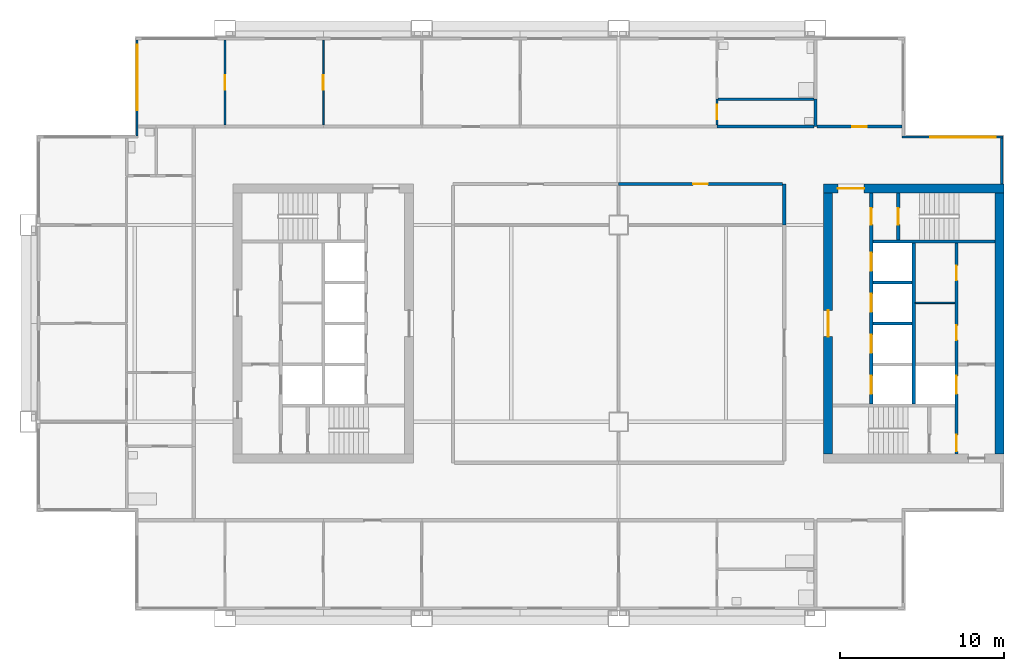
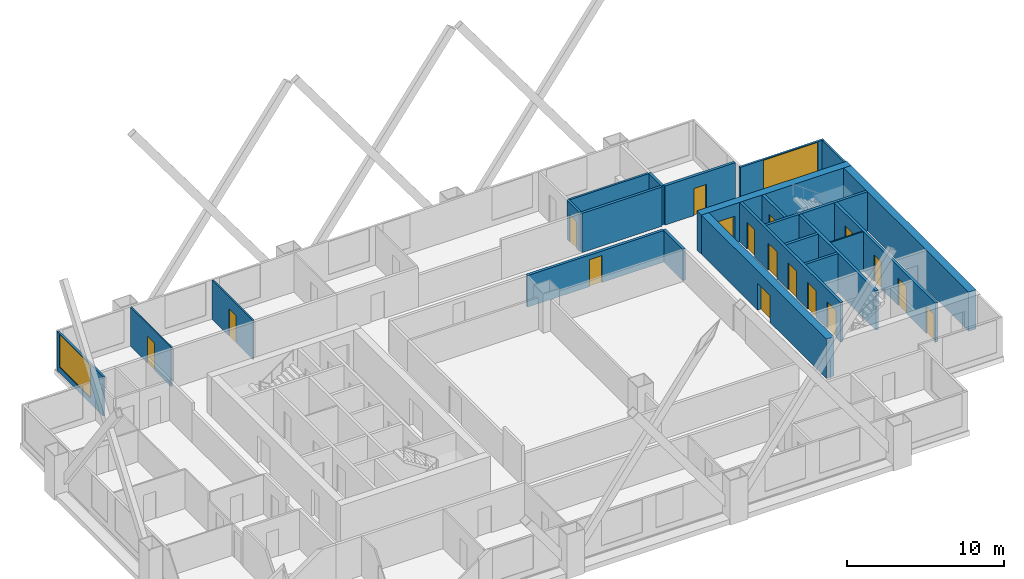
# One storey, part 5 of 8: 23 walls, 17 doors, 2 windows, 19 openings.
"""IFC4 building model written with IfcOpenShell, lengths in metres."""

from ifc_helpers import new_model, si_unit, direction, frame, frame_2d, origin, place, context, subcontext, project, spatial, rectangle, extrude, material, layer, layer_set, type_object, element, fill, save


model = new_model("IFC4")

# Units and contexts
model_context = context("Model", 3, precision=1e-05, world=origin(), true_north=direction((0.0, 1.0)))
body_context = subcontext(model_context, "Body", "Model", "MODEL_VIEW")
ifc_project = project(units=[si_unit("LENGTHUNIT", "METRE"), si_unit("AREAUNIT", "SQUARE_METRE"), si_unit("VOLUMEUNIT", "CUBIC_METRE"), si_unit("PLANEANGLEUNIT", "RADIAN"), si_unit("MASSUNIT", "GRAM", prefix="KILO")], contexts=[model_context])

# Site, building, storey
site_placement = place(None, origin())
site = spatial("IfcSite", under=ifc_project, at=site_placement, CompositionType="ELEMENT")
building_placement = place(site_placement, origin())
building = spatial("IfcBuilding", under=site, at=building_placement, Name="Kitamizu Gate Tower and Museum", CompositionType="ELEMENT")
storey_placement = place(building_placement, frame((0.0, 0.0, 175.5)))
storey = spatial("IfcBuildingStorey", under=building, at=storey_placement, Name="L46", CompositionType="ELEMENT", Elevation=175.5)

# Wall, opening, door
ifc_material_1 = material(Name="Concrete Fc42", Category="concrete")
ifc_layer_1 = layer(ifc_material_1, 0.550048828125)
ifc_layer_set_1 = layer_set([ifc_layer_1], Name="Concrete Fc42")
wall_type_1 = type_object("IfcWallType", Name="Core wall 550", PredefinedType="SHEAR", material=ifc_layer_set_1)
wall_1_placement = place(storey_placement, frame((59.5, 38.22509765625, 0.0), z_axis=(0.0, 0.0, 1.0), x_axis=(-1.0, 0.0, 0.0)))
wall_1 = element("IfcWall", 1, at=wall_1_placement, inside=storey, type_object=wall_type_1, Name="Core wall EN", PredefinedType="SHEAR", context=body_context, shape_type="SweptSolid", body=[
    extrude(rectangle(XDim=11.0, YDim=0.550048828125, at=frame_2d((5.5, 0.0))), origin(), (0.0, 0.0, 1.0), 3.050048828125),
])
opening_1_placement = place(wall_1_placement, frame((8.52490234375, 0.0, 0.0)))
opening_1 = element("IfcOpeningElement", 2, at=opening_1_placement, cuts=wall_1, Name="Opening L46-047", PredefinedType="OPENING", context=body_context, shape_type="SweptSolid", body=[
    extrude(rectangle(XDim=1.60009765625, YDim=2.10009765625, at=frame_2d((0.800048828125, 1.050048828125))), frame((0.0, 0.28515625, 0.0), z_axis=(0.0, -1.0, 0.0), x_axis=(1.0, 0.0, 0.0)), (0.0, 0.0, 1.0), 0.570068359375),
])
ifc_material_2 = material(Name="Timber door set", Category="wood")
door_type_1 = type_object("IfcDoorType", Name="Entrance door 1600", OperationType="DOUBLE_DOOR_SINGLE_SWING", PredefinedType="DOOR", material=ifc_material_2)
door_1_placement = place(opening_1_placement, origin())
door_1 = element("IfcDoor", 3, at=door_1_placement, inside=storey, type_object=door_type_1, Name="Lobby door L46-047", OperationType="DOUBLE_DOOR_SINGLE_SWING", OverallHeight=2.10009765625, OverallWidth=1.60009765625, PredefinedType="DOOR", context=body_context, shape_type="SweptSolid", body=[
    extrude(rectangle(XDim=1.60009765625, YDim=2.10009765625, at=frame_2d((0.800048828125, 1.050048828125))), frame((0.0, 0.02490234375, 0.0), z_axis=(0.0, -1.0, 0.0), x_axis=(1.0, 0.0, 0.0)), (0.0, 0.0, 1.0), 0.050048828125),
])
fill(opening_1, door_1)

# Wall
wall_2_placement = place(storey_placement, frame((59.22509765625, 22.050048828125, 0.0), z_axis=(0.0, 0.0, 1.0), x_axis=(0.0, 1.0, 0.0)))
element("IfcWall", 4, at=wall_2_placement, inside=storey, type_object=wall_type_1, Name="Core wall EOUT", PredefinedType="SHEAR", context=body_context, shape_type="SweptSolid", body=[
    extrude(rectangle(XDim=15.89990234375, YDim=0.550048828125, at=frame_2d((7.949951171875, 0.0))), origin(), (0.0, 0.0, 1.0), 3.050048828125),
])

# Wall, opening, door
wall_3_placement = place(storey_placement, frame((48.77490234375, 22.050048828125, 0.0), z_axis=(0.0, 0.0, 1.0), x_axis=(0.0, 1.0, 0.0)))
wall_3 = element("IfcWall", 5, at=wall_3_placement, inside=storey, type_object=wall_type_1, Name="Core wall EARC", PredefinedType="SHEAR", context=body_context, shape_type="SweptSolid", body=[
    extrude(rectangle(XDim=15.89990234375, YDim=0.550048828125, at=frame_2d((7.949951171875, 0.0))), origin(), (0.0, 0.0, 1.0), 3.050048828125),
])
opening_2_placement = place(wall_3_placement, frame((7.14990234375, 0.0, 0.0)))
opening_2 = element("IfcOpeningElement", 6, at=opening_2_placement, cuts=wall_3, Name="Opening L46-048", PredefinedType="OPENING", context=body_context, shape_type="SweptSolid", body=[
    extrude(rectangle(XDim=1.60009765625, YDim=2.10009765625, at=frame_2d((0.800048828125, 1.050048828125))), frame((0.0, 0.28515625, 0.0), z_axis=(0.0, -1.0, 0.0), x_axis=(1.0, 0.0, 0.0)), (0.0, 0.0, 1.0), 0.570068359375),
])
door_2_placement = place(opening_2_placement, origin())
door_2 = element("IfcDoor", 7, at=door_2_placement, inside=storey, type_object=door_type_1, Name="Lobby door L46-048", OperationType="DOUBLE_DOOR_SINGLE_SWING", OverallHeight=2.10009765625, OverallWidth=1.60009765625, PredefinedType="DOOR", context=body_context, shape_type="SweptSolid", body=[
    extrude(rectangle(XDim=1.60009765625, YDim=2.10009765625, at=frame_2d((0.800048828125, 1.050048828125))), frame((0.0, 0.02490234375, 0.0), z_axis=(0.0, -1.0, 0.0), x_axis=(1.0, 0.0, 0.0)), (0.0, 0.0, 1.0), 0.050048828125),
])
fill(opening_2, door_2)

# Wall
ifc_material_3 = material(Name="Gypsum board on galvanised stud")
ifc_layer_2 = layer(ifc_material_3, 0.10009765625)
ifc_layer_set_2 = layer_set([ifc_layer_2], Name="Gypsum board on galvanised stud")
wall_type_2 = type_object("IfcWallType", Name="Partition 100", PredefinedType="PARTITIONING", material=ifc_layer_set_2)
wall_4_placement = place(storey_placement, frame((56.5, 31.25, 0.0), z_axis=(0.0, 0.0, 1.0), x_axis=(-1.0, 0.0, 0.0)))
element("IfcWall", 8, at=wall_4_placement, inside=storey, type_object=wall_type_2, Name="Partition EPF1", PredefinedType="PARTITIONING", context=body_context, shape_type="SweptSolid", body=[
    extrude(rectangle(XDim=2.39990234375, YDim=0.10009765625, at=frame_2d((1.199951171875, 0.0))), origin(), (0.0, 0.0, 1.0), 3.050048828125),
])

# Wall, opening, door
ifc_material_4 = material(Name="Gypsum board on galvanised stud")
ifc_layer_3 = layer(ifc_material_4, 0.10009765625)
ifc_layer_set_3 = layer_set([ifc_layer_3], Name="Gypsum board on galvanised stud")
wall_type_3 = type_object("IfcWallType", Name="Partition 100 NOT RATED", PredefinedType="PARTITIONING", material=ifc_layer_set_3)
wall_5_placement = place(storey_placement, frame((12.0, 42.10009765625, 0.0), z_axis=(0.0, 0.0, 1.0), x_axis=(0.0, 1.0, 0.0)))
wall_5 = element("IfcWall", 9, at=wall_5_placement, inside=storey, type_object=wall_type_3, Name="Partition L46-018", PredefinedType="PARTITIONING", context=body_context, shape_type="SweptSolid", body=[
    extrude(rectangle(XDim=5.179931640625, YDim=0.10009765625, at=frame_2d((2.58984375, 0.0))), origin(), (0.0, 0.0, 1.0), 3.050048828125),
])
opening_3_placement = place(wall_5_placement, frame((2.139892578125, 0.0, 0.0)))
opening_3 = element("IfcOpeningElement", 10, at=opening_3_placement, cuts=wall_5, Name="Opening L46-014", PredefinedType="OPENING", context=body_context, shape_type="SweptSolid", body=[
    extrude(rectangle(XDim=0.89990234375, YDim=2.10009765625, at=frame_2d((0.449951171875, 1.050048828125))), frame((0.0, 0.06005859375, 0.0), z_axis=(0.0, -1.0, 0.0), x_axis=(1.0, 0.0, 0.0)), (0.0, 0.0, 1.0), 0.1201171875),
])
ifc_material_5 = material(Name="Timber door set", Category="wood")
door_type_2 = type_object("IfcDoorType", Name="Room door 900", OperationType="NOTDEFINED", PredefinedType="DOOR", material=ifc_material_5)
door_3_placement = place(opening_3_placement, origin())
door_3 = element("IfcDoor", 11, at=door_3_placement, inside=storey, type_object=door_type_2, Name="Door L46-014", OperationType="SINGLE_SWING_LEFT", OverallHeight=2.10009765625, OverallWidth=0.89990234375, PredefinedType="DOOR", context=body_context, shape_type="SweptSolid", body=[
    extrude(rectangle(XDim=0.89990234375, YDim=2.10009765625, at=frame_2d((0.449951171875, 1.050048828125))), frame((0.0, 0.02490234375, 0.0), z_axis=(0.0, -1.0, 0.0), x_axis=(1.0, 0.0, 0.0)), (0.0, 0.0, 1.0), 0.050048828125),
])
fill(opening_3, door_3)

wall_6_placement = place(storey_placement, frame((18.0, 42.10009765625, 0.0), z_axis=(0.0, 0.0, 1.0), x_axis=(0.0, 1.0, 0.0)))
wall_6 = element("IfcWall", 12, at=wall_6_placement, inside=storey, type_object=wall_type_3, Name="Partition L46-022", PredefinedType="PARTITIONING", context=body_context, shape_type="SweptSolid", body=[
    extrude(rectangle(XDim=5.179931640625, YDim=0.10009765625, at=frame_2d((2.58984375, 0.0))), origin(), (0.0, 0.0, 1.0), 3.050048828125),
])
opening_4_placement = place(wall_6_placement, frame((2.139892578125, 0.0, 0.0)))
opening_4 = element("IfcOpeningElement", 13, at=opening_4_placement, cuts=wall_6, Name="Opening L46-013", PredefinedType="OPENING", context=body_context, shape_type="SweptSolid", body=[
    extrude(rectangle(XDim=0.89990234375, YDim=2.10009765625, at=frame_2d((0.449951171875, 1.050048828125))), frame((0.0, 0.06005859375, 0.0), z_axis=(0.0, -1.0, 0.0), x_axis=(1.0, 0.0, 0.0)), (0.0, 0.0, 1.0), 0.1201171875),
])
door_4_placement = place(opening_4_placement, origin())
door_4 = element("IfcDoor", 14, at=door_4_placement, inside=storey, type_object=door_type_2, Name="Door L46-013", OperationType="SINGLE_SWING_RIGHT", OverallHeight=2.10009765625, OverallWidth=0.89990234375, PredefinedType="DOOR", context=body_context, shape_type="SweptSolid", body=[
    extrude(rectangle(XDim=0.89990234375, YDim=2.10009765625, at=frame_2d((0.449951171875, 1.050048828125))), frame((0.0, 0.02490234375, 0.0), z_axis=(0.0, -1.0, 0.0), x_axis=(1.0, 0.0, 0.0)), (0.0, 0.0, 1.0), 0.050048828125),
])
fill(opening_4, door_4)

ifc_material_6 = material(Name="Gypsum board on galvanised stud")
ifc_layer_4 = layer(ifc_material_6, 0.14990234375)
ifc_layer_set_4 = layer_set([ifc_layer_4], Name="Gypsum board on galvanised stud")
wall_type_4 = type_object("IfcWallType", Name="Partition 150", PredefinedType="PARTITIONING", material=ifc_layer_set_4)
wall_7_placement = place(storey_placement, frame((42.0, 42.10009765625, 0.0), z_axis=(0.0, 0.0, 1.0), x_axis=(0.0, 1.0, 0.0)))
wall_7 = element("IfcWall", 15, at=wall_7_placement, inside=storey, type_object=wall_type_4, Name="Partition L46-029", PredefinedType="PARTITIONING", context=body_context, shape_type="SweptSolid", body=[
    extrude(rectangle(XDim=1.579833984375, YDim=0.14990234375, at=frame_2d((0.7900390625, 0.0))), origin(), (0.0, 0.0, 1.0), 3.050048828125),
])
opening_5_placement = place(wall_7_placement, frame((0.340087890625, 0.0, 0.0)))
opening_5 = element("IfcOpeningElement", 16, at=opening_5_placement, cuts=wall_7, Name="Opening L46-012", PredefinedType="OPENING", context=body_context, shape_type="SweptSolid", body=[
    extrude(rectangle(XDim=0.89990234375, YDim=2.10009765625, at=frame_2d((0.449951171875, 1.050048828125))), frame((0.0, 0.0849609375, 0.0), z_axis=(0.0, -1.0, 0.0), x_axis=(1.0, 0.0, 0.0)), (0.0, 0.0, 1.0), 0.169921875),
])
ifc_material_7 = material(Name="Timber door set", Category="wood")
door_type_3 = type_object("IfcDoorType", Name="Bathroom door 900", OperationType="NOTDEFINED", PredefinedType="DOOR", material=ifc_material_7)
door_5_placement = place(opening_5_placement, frame((0.89990234375, 0.0, 0.0), x_axis=(-1.0, 0.0, 0.0)))
door_5 = element("IfcDoor", 17, at=door_5_placement, inside=storey, type_object=door_type_3, Name="Bathroom door L46-012", OperationType="SINGLE_SWING_RIGHT", OverallHeight=2.10009765625, OverallWidth=0.89990234375, PredefinedType="DOOR", context=body_context, shape_type="SweptSolid", body=[
    extrude(rectangle(XDim=0.89990234375, YDim=2.10009765625, at=frame_2d((0.449951171875, 1.050048828125))), frame((0.0, 0.02490234375, 0.0), z_axis=(0.0, -1.0, 0.0), x_axis=(1.0, 0.0, 0.0)), (0.0, 0.0, 1.0), 0.050048828125),
])
fill(opening_5, door_5)

# Walls
wall_8_placement = place(storey_placement, frame((42.074951171875, 43.679931640625, 0.0), z_axis=(0.0, 0.0, 1.0), x_axis=(1.0, 0.0, 0.0)))
element("IfcWall", 18, at=wall_8_placement, inside=storey, type_object=wall_type_4, Name="Partition L46-032", PredefinedType="PARTITIONING", context=body_context, shape_type="SweptSolid", body=[
    extrude(rectangle(XDim=5.824951171875, YDim=0.14990234375, at=frame_2d((2.91259765625, 0.0))), origin(), (0.0, 0.0, 1.0), 3.050048828125),
])
ifc_material_8 = material(Name="Gypsum board on galvanised stud")
ifc_layer_5 = layer(ifc_material_8, 0.199951171875)
ifc_layer_set_5 = layer_set([ifc_layer_5], Name="Gypsum board on galvanised stud")
wall_type_5 = type_object("IfcWallType", Name="Partition 200", PredefinedType="PARTITIONING", material=ifc_layer_set_5)
wall_9_placement = place(storey_placement, frame((48.0, 42.0, 0.0), z_axis=(0.0, 0.0, 1.0), x_axis=(0.0, 1.0, 0.0)))
element("IfcWall", 19, at=wall_9_placement, inside=storey, type_object=wall_type_5, Name="Partition L46-034", PredefinedType="PARTITIONING", context=body_context, shape_type="SweptSolid", body=[
    extrude(rectangle(XDim=1.679931640625, YDim=0.199951171875, at=frame_2d((0.83984375, 0.0))), origin(), (0.0, 0.0, 1.0), 3.050048828125),
])
wall_10_placement = place(storey_placement, frame((42.0, 42.0, 0.0), z_axis=(0.0, 0.0, 1.0), x_axis=(1.0, 0.0, 0.0)))
element("IfcWall", 20, at=wall_10_placement, inside=storey, type_object=wall_type_5, Name="Partition L46-035", PredefinedType="PARTITIONING", context=body_context, shape_type="SweptSolid", body=[
    extrude(rectangle(XDim=5.89990234375, YDim=0.199951171875, at=frame_2d((2.949951171875, 0.0))), origin(), (0.0, 0.0, 1.0), 3.050048828125),
])

# Wall, opening, door
wall_11_placement = place(storey_placement, frame((48.10009765625, 42.0, 0.0), z_axis=(0.0, 0.0, 1.0), x_axis=(1.0, 0.0, 0.0)))
wall_11 = element("IfcWall", 21, at=wall_11_placement, inside=storey, type_object=wall_type_5, Name="Partition L46-036", PredefinedType="PARTITIONING", context=body_context, shape_type="SweptSolid", body=[
    extrude(rectangle(XDim=5.179931640625, YDim=0.199951171875, at=frame_2d((2.58984375, 0.0))), origin(), (0.0, 0.0, 1.0), 3.050048828125),
])
opening_6_placement = place(wall_11_placement, frame((2.139892578125, 0.0, 0.0)))
opening_6 = element("IfcOpeningElement", 22, at=opening_6_placement, cuts=wall_11, Name="Opening L46-025", PredefinedType="OPENING", context=body_context, shape_type="SweptSolid", body=[
    extrude(rectangle(XDim=0.89990234375, YDim=2.10009765625, at=frame_2d((0.449951171875, 1.050048828125))), frame((0.0, 0.10986328125, 0.0), z_axis=(0.0, -1.0, 0.0), x_axis=(1.0, 0.0, 0.0)), (0.0, 0.0, 1.0), 0.219970703125),
])
door_6_placement = place(opening_6_placement, origin())
door_6 = element("IfcDoor", 23, at=door_6_placement, inside=storey, type_object=door_type_2, Name="Door L46-025", OperationType="SINGLE_SWING_LEFT", OverallHeight=2.10009765625, OverallWidth=0.89990234375, PredefinedType="DOOR", context=body_context, shape_type="SweptSolid", body=[
    extrude(rectangle(XDim=0.89990234375, YDim=2.10009765625, at=frame_2d((0.449951171875, 1.050048828125))), frame((0.0, 0.02490234375, 0.0), z_axis=(0.0, -1.0, 0.0), x_axis=(1.0, 0.0, 0.0)), (0.0, 0.0, 1.0), 0.050048828125),
])
fill(opening_6, door_6)

# Wall
wall_12_placement = place(storey_placement, frame((46.10009765625, 36.0, 0.0), z_axis=(0.0, 0.0, 1.0), x_axis=(0.0, 1.0, 0.0)))
element("IfcWall", 24, at=wall_12_placement, inside=storey, type_object=wall_type_5, Name="Partition L46-065", PredefinedType="PARTITIONING", context=body_context, shape_type="SweptSolid", body=[
    extrude(rectangle(XDim=2.5, YDim=0.199951171875, at=frame_2d((1.25, 0.0))), origin(), (0.0, 0.0, 1.0), 2.449951171875),
])

# Wall, opening, door
wall_13_placement = place(storey_placement, frame((46.0, 38.5, 0.0), z_axis=(0.0, 0.0, 1.0), x_axis=(-1.0, 0.0, 0.0)))
wall_13 = element("IfcWall", 25, at=wall_13_placement, inside=storey, type_object=wall_type_5, Name="Partition L46-066", PredefinedType="PARTITIONING", context=body_context, shape_type="SweptSolid", body=[
    extrude(rectangle(XDim=10.0, YDim=0.199951171875, at=frame_2d((5.0, 0.0))), origin(), (0.0, 0.0, 1.0), 2.449951171875),
])
opening_7_placement = place(wall_13_placement, frame((4.550048828125, 0.0, 0.0)))
opening_7 = element("IfcOpeningElement", 26, at=opening_7_placement, cuts=wall_13, Name="Opening L46-029", PredefinedType="OPENING", context=body_context, shape_type="SweptSolid", body=[
    extrude(rectangle(XDim=0.89990234375, YDim=2.10009765625, at=frame_2d((0.449951171875, 1.050048828125))), frame((0.0, 0.10986328125, 0.0), z_axis=(0.0, -1.0, 0.0), x_axis=(1.0, 0.0, 0.0)), (0.0, 0.0, 1.0), 0.219970703125),
])
door_7_placement = place(opening_7_placement, origin())
door_7 = element("IfcDoor", 27, at=door_7_placement, inside=storey, type_object=door_type_2, Name="Door L46-029", OperationType="SINGLE_SWING_LEFT", OverallHeight=2.10009765625, OverallWidth=0.89990234375, PredefinedType="DOOR", context=body_context, shape_type="SweptSolid", body=[
    extrude(rectangle(XDim=0.89990234375, YDim=2.10009765625, at=frame_2d((0.449951171875, 1.050048828125))), frame((0.0, 0.02490234375, 0.0), z_axis=(0.0, -1.0, 0.0), x_axis=(1.0, 0.0, 0.0)), (0.0, 0.0, 1.0), 0.050048828125),
])
fill(opening_7, door_7)

# Wall, openings, doors
ifc_material_9 = material(Name="Concrete Fc42", Category="concrete")
ifc_layer_6 = layer(ifc_material_9, 0.199951171875)
ifc_layer_set_6 = layer_set([ifc_layer_6], Name="Concrete Fc42")
wall_type_6 = type_object("IfcWallType", Name="Shaft wall 200", PredefinedType="SOLIDWALL", material=ifc_layer_set_6)
wall_14_placement = place(storey_placement, frame((56.60009765625, 22.050048828125, 0.0), z_axis=(0.0, 0.0, 1.0), x_axis=(0.0, 1.0, 0.0)))
wall_14 = element("IfcWall", 28, at=wall_14_placement, inside=storey, type_object=wall_type_6, Name="Shaft wall EWEST", PredefinedType="SOLIDWALL", context=body_context, shape_type="SweptSolid", body=[
    extrude(rectangle(XDim=12.849853515625, YDim=0.199951171875, at=frame_2d((6.4248046875, 0.0))), origin(), (0.0, 0.0, 1.0), 3.050048828125),
])
opening_8_placement = place(wall_14_placement, frame((3.64990234375, 0.0, 0.0)))
opening_8 = element("IfcOpeningElement", 29, at=opening_8_placement, cuts=wall_14, Name="Opening LD", PredefinedType="OPENING", context=body_context, shape_type="SweptSolid", body=[
    extrude(rectangle(XDim=1.10009765625, YDim=2.10009765625, at=frame_2d((0.550048828125, 1.050048828125))), frame((0.0, 0.10986328125, 0.0), z_axis=(0.0, -1.0, 0.0), x_axis=(1.0, 0.0, 0.0)), (0.0, 0.0, 1.0), 0.219970703125),
])
opening_9_placement = place(wall_14_placement, frame((0.14990234375, 0.0, 0.0)))
opening_9 = element("IfcOpeningElement", 30, at=opening_9_placement, cuts=wall_14, Name="Opening L46-042", PredefinedType="OPENING", context=body_context, shape_type="SweptSolid", body=[
    extrude(rectangle(XDim=1.0, YDim=2.10009765625, at=frame_2d((0.5, 1.050048828125))), frame((0.0, 0.10986328125, 0.0), z_axis=(0.0, -1.0, 0.0), x_axis=(1.0, 0.0, 0.0)), (0.0, 0.0, 1.0), 0.219970703125),
])
opening_10_placement = place(wall_14_placement, frame((6.925048828125, 0.0, 0.0)))
opening_10 = element("IfcOpeningElement", 31, at=opening_10_placement, cuts=wall_14, Name="Opening L46-049", PredefinedType="OPENING", context=body_context, shape_type="SweptSolid", body=[
    extrude(rectangle(XDim=0.89990234375, YDim=2.10009765625, at=frame_2d((0.449951171875, 1.050048828125))), frame((0.0, 0.10986328125, 0.0), z_axis=(0.0, -1.0, 0.0), x_axis=(1.0, 0.0, 0.0)), (0.0, 0.0, 1.0), 0.219970703125),
])
opening_11_placement = place(wall_14_placement, frame((10.574951171875, 0.0, 0.0)))
opening_11 = element("IfcOpeningElement", 32, at=opening_11_placement, cuts=wall_14, Name="Opening L46-050", PredefinedType="OPENING", context=body_context, shape_type="SweptSolid", body=[
    extrude(rectangle(XDim=0.89990234375, YDim=2.10009765625, at=frame_2d((0.449951171875, 1.050048828125))), frame((0.0, 0.10986328125, 0.0), z_axis=(0.0, -1.0, 0.0), x_axis=(1.0, 0.0, 0.0)), (0.0, 0.0, 1.0), 0.219970703125),
])
ifc_material_10 = material(Name="Hollow metal door set")
door_type_4 = type_object("IfcDoorType", Name="Fire door 1000", OperationType="NOTDEFINED", PredefinedType="DOOR", material=ifc_material_10)
door_8_placement = place(opening_9_placement, origin())
door_8 = element("IfcDoor", 33, at=door_8_placement, inside=storey, type_object=door_type_4, Name="Stair lobby door L46-042", OperationType="SINGLE_SWING_RIGHT", OverallHeight=2.10009765625, OverallWidth=1.0, PredefinedType="DOOR", context=body_context, shape_type="SweptSolid", body=[
    extrude(rectangle(XDim=1.0, YDim=2.10009765625, at=frame_2d((0.5, 1.050048828125))), frame((0.0, 0.02490234375, 0.0), z_axis=(0.0, -1.0, 0.0), x_axis=(1.0, 0.0, 0.0)), (0.0, 0.0, 1.0), 0.050048828125),
])
fill(opening_9, door_8)
ifc_material_11 = material(Name="Hollow metal door set")
door_type_5 = type_object("IfcDoorType", Name="Landing door 1100", OperationType="SLIDING_TO_LEFT", PredefinedType="DOOR", material=ifc_material_11)
door_9_placement = place(opening_8_placement, origin())
door_9 = element("IfcDoor", 34, at=door_9_placement, inside=storey, type_object=door_type_5, Name="Landing door EFF1", OperationType="SLIDING_TO_LEFT", OverallHeight=2.10009765625, OverallWidth=1.10009765625, PredefinedType="DOOR", context=body_context, shape_type="SweptSolid", body=[
    extrude(rectangle(XDim=1.10009765625, YDim=2.10009765625, at=frame_2d((0.550048828125, 1.050048828125))), frame((0.0, 0.02490234375, 0.0), z_axis=(0.0, -1.0, 0.0), x_axis=(1.0, 0.0, 0.0)), (0.0, 0.0, 1.0), 0.050048828125),
])
fill(opening_8, door_9)
ifc_material_12 = material(Name="Timber door set", Category="wood")
door_type_6 = type_object("IfcDoorType", Name="Service door 900", OperationType="NOTDEFINED", PredefinedType="DOOR", material=ifc_material_12)
door_10_placement = place(opening_10_placement, origin())
door_10 = element("IfcDoor", 35, at=door_10_placement, inside=storey, type_object=door_type_6, Name="Service door L46-049", OperationType="SINGLE_SWING_RIGHT", OverallHeight=2.10009765625, OverallWidth=0.89990234375, PredefinedType="DOOR", context=body_context, shape_type="SweptSolid", body=[
    extrude(rectangle(XDim=0.89990234375, YDim=2.10009765625, at=frame_2d((0.449951171875, 1.050048828125))), frame((0.0, 0.02490234375, 0.0), z_axis=(0.0, -1.0, 0.0), x_axis=(1.0, 0.0, 0.0)), (0.0, 0.0, 1.0), 0.050048828125),
])
fill(opening_10, door_10)
door_11_placement = place(opening_11_placement, origin())
door_11 = element("IfcDoor", 36, at=door_11_placement, inside=storey, type_object=door_type_6, Name="Service door L46-050", OperationType="SINGLE_SWING_LEFT", OverallHeight=2.10009765625, OverallWidth=0.89990234375, PredefinedType="DOOR", context=body_context, shape_type="SweptSolid", body=[
    extrude(rectangle(XDim=0.89990234375, YDim=2.10009765625, at=frame_2d((0.449951171875, 1.050048828125))), frame((0.0, 0.02490234375, 0.0), z_axis=(0.0, -1.0, 0.0), x_axis=(1.0, 0.0, 0.0)), (0.0, 0.0, 1.0), 0.050048828125),
])
fill(opening_11, door_11)

wall_15_placement = place(storey_placement, frame((51.39990234375, 25.10009765625, 0.0), z_axis=(0.0, 0.0, 1.0), x_axis=(0.0, 1.0, 0.0)))
wall_15 = element("IfcWall", 37, at=wall_15_placement, inside=storey, type_object=wall_type_6, Name="Shaft wall EEAST", PredefinedType="SOLIDWALL", context=body_context, shape_type="SweptSolid", body=[
    extrude(rectangle(XDim=12.849853515625, YDim=0.199951171875, at=frame_2d((6.4248046875, 0.0))), origin(), (0.0, 0.0, 1.0), 3.050048828125),
])
opening_12_placement = place(wall_15_placement, frame((0.60009765625, 0.0, 0.0)))
opening_12 = element("IfcOpeningElement", 38, at=opening_12_placement, cuts=wall_15, Name="Opening LD", PredefinedType="OPENING", context=body_context, shape_type="SweptSolid", body=[
    extrude(rectangle(XDim=1.10009765625, YDim=2.10009765625, at=frame_2d((0.550048828125, 1.050048828125))), frame((0.0, 0.10986328125, 0.0), z_axis=(0.0, -1.0, 0.0), x_axis=(1.0, 0.0, 0.0)), (0.0, 0.0, 1.0), 0.219970703125),
])
opening_13_placement = place(wall_15_placement, frame((3.10009765625, 0.0, 0.0)))
opening_13 = element("IfcOpeningElement", 39, at=opening_13_placement, cuts=wall_15, Name="Opening LD", PredefinedType="OPENING", context=body_context, shape_type="SweptSolid", body=[
    extrude(rectangle(XDim=1.10009765625, YDim=2.10009765625, at=frame_2d((0.550048828125, 1.050048828125))), frame((0.0, 0.10986328125, 0.0), z_axis=(0.0, -1.0, 0.0), x_axis=(1.0, 0.0, 0.0)), (0.0, 0.0, 1.0), 0.219970703125),
])
opening_14_placement = place(wall_15_placement, frame((5.60009765625, 0.0, 0.0)))
opening_14 = element("IfcOpeningElement", 40, at=opening_14_placement, cuts=wall_15, Name="Opening LD", PredefinedType="OPENING", context=body_context, shape_type="SweptSolid", body=[
    extrude(rectangle(XDim=1.10009765625, YDim=2.10009765625, at=frame_2d((0.550048828125, 1.050048828125))), frame((0.0, 0.10986328125, 0.0), z_axis=(0.0, -1.0, 0.0), x_axis=(1.0, 0.0, 0.0)), (0.0, 0.0, 1.0), 0.219970703125),
])
opening_15_placement = place(wall_15_placement, frame((8.10009765625, 0.0, 0.0)))
opening_15 = element("IfcOpeningElement", 41, at=opening_15_placement, cuts=wall_15, Name="Opening LD", PredefinedType="OPENING", context=body_context, shape_type="SweptSolid", body=[
    extrude(rectangle(XDim=1.10009765625, YDim=2.10009765625, at=frame_2d((0.550048828125, 1.050048828125))), frame((0.0, 0.10986328125, 0.0), z_axis=(0.0, -1.0, 0.0), x_axis=(1.0, 0.0, 0.0)), (0.0, 0.0, 1.0), 0.219970703125),
])
opening_16_placement = place(wall_15_placement, frame((10.925048828125, 0.0, 0.0)))
opening_16 = element("IfcOpeningElement", 42, at=opening_16_placement, cuts=wall_15, Name="Opening L46-043", PredefinedType="OPENING", context=body_context, shape_type="SweptSolid", body=[
    extrude(rectangle(XDim=1.0, YDim=2.10009765625, at=frame_2d((0.5, 1.050048828125))), frame((0.0, 0.10986328125, 0.0), z_axis=(0.0, -1.0, 0.0), x_axis=(1.0, 0.0, 0.0)), (0.0, 0.0, 1.0), 0.219970703125),
])
door_12_placement = place(opening_16_placement, frame((1.0, 0.0, 0.0), x_axis=(-1.0, 0.0, 0.0)))
door_12 = element("IfcDoor", 43, at=door_12_placement, inside=storey, type_object=door_type_4, Name="Stair lobby door L46-043", OperationType="SINGLE_SWING_LEFT", OverallHeight=2.10009765625, OverallWidth=1.0, PredefinedType="DOOR", context=body_context, shape_type="SweptSolid", body=[
    extrude(rectangle(XDim=1.0, YDim=2.10009765625, at=frame_2d((0.5, 1.050048828125))), frame((0.0, 0.02490234375, 0.0), z_axis=(0.0, -1.0, 0.0), x_axis=(1.0, 0.0, 0.0)), (0.0, 0.0, 1.0), 0.050048828125),
])
fill(opening_16, door_12)
door_13_placement = place(opening_12_placement, origin())
door_13 = element("IfcDoor", 44, at=door_13_placement, inside=storey, type_object=door_type_5, Name="Landing door ESV1", OperationType="SLIDING_TO_LEFT", OverallHeight=2.10009765625, OverallWidth=1.10009765625, PredefinedType="DOOR", context=body_context, shape_type="SweptSolid", body=[
    extrude(rectangle(XDim=1.10009765625, YDim=2.10009765625, at=frame_2d((0.550048828125, 1.050048828125))), frame((0.0, 0.02490234375, 0.0), z_axis=(0.0, -1.0, 0.0), x_axis=(1.0, 0.0, 0.0)), (0.0, 0.0, 1.0), 0.050048828125),
])
fill(opening_12, door_13)
door_14_placement = place(opening_13_placement, origin())
door_14 = element("IfcDoor", 45, at=door_14_placement, inside=storey, type_object=door_type_5, Name="Landing door EH1", OperationType="SLIDING_TO_LEFT", OverallHeight=2.10009765625, OverallWidth=1.10009765625, PredefinedType="DOOR", context=body_context, shape_type="SweptSolid", body=[
    extrude(rectangle(XDim=1.10009765625, YDim=2.10009765625, at=frame_2d((0.550048828125, 1.050048828125))), frame((0.0, 0.02490234375, 0.0), z_axis=(0.0, -1.0, 0.0), x_axis=(1.0, 0.0, 0.0)), (0.0, 0.0, 1.0), 0.050048828125),
])
fill(opening_13, door_14)
door_15_placement = place(opening_14_placement, origin())
door_15 = element("IfcDoor", 46, at=door_15_placement, inside=storey, type_object=door_type_5, Name="Landing door EH2", OperationType="SLIDING_TO_LEFT", OverallHeight=2.10009765625, OverallWidth=1.10009765625, PredefinedType="DOOR", context=body_context, shape_type="SweptSolid", body=[
    extrude(rectangle(XDim=1.10009765625, YDim=2.10009765625, at=frame_2d((0.550048828125, 1.050048828125))), frame((0.0, 0.02490234375, 0.0), z_axis=(0.0, -1.0, 0.0), x_axis=(1.0, 0.0, 0.0)), (0.0, 0.0, 1.0), 0.050048828125),
])
fill(opening_14, door_15)
door_16_placement = place(opening_15_placement, origin())
door_16 = element("IfcDoor", 47, at=door_16_placement, inside=storey, type_object=door_type_5, Name="Landing door EH3", OperationType="SLIDING_TO_LEFT", OverallHeight=2.10009765625, OverallWidth=1.10009765625, PredefinedType="DOOR", context=body_context, shape_type="SweptSolid", body=[
    extrude(rectangle(XDim=1.10009765625, YDim=2.10009765625, at=frame_2d((0.550048828125, 1.050048828125))), frame((0.0, 0.02490234375, 0.0), z_axis=(0.0, -1.0, 0.0), x_axis=(1.0, 0.0, 0.0)), (0.0, 0.0, 1.0), 0.050048828125),
])
fill(opening_15, door_16)

# Walls
wall_16_placement = place(storey_placement, frame((54.0, 25.10009765625, 0.0), z_axis=(0.0, 0.0, 1.0), x_axis=(0.0, 1.0, 0.0)))
element("IfcWall", 48, at=wall_16_placement, inside=storey, type_object=wall_type_6, Name="Shaft wall EMID", PredefinedType="SOLIDWALL", context=body_context, shape_type="SweptSolid", body=[
    extrude(rectangle(XDim=9.7998046875, YDim=0.199951171875, at=frame_2d((4.89990234375, 0.0))), origin(), (0.0, 0.0, 1.0), 3.050048828125),
])
wall_17_placement = place(storey_placement, frame((58.949951171875, 35.0, 0.0), z_axis=(0.0, 0.0, 1.0), x_axis=(-1.0, 0.0, 0.0)))
element("IfcWall", 49, at=wall_17_placement, inside=storey, type_object=wall_type_6, Name="Shaft wall ENB", PredefinedType="SOLIDWALL", context=body_context, shape_type="SweptSolid", body=[
    extrude(rectangle(XDim=7.449951171875, YDim=0.199951171875, at=frame_2d((3.72509765625, 0.0))), origin(), (0.0, 0.0, 1.0), 3.050048828125),
])

# Wall, opening, door
wall_18_placement = place(storey_placement, frame((53.050048828125, 35.10009765625, 0.0), z_axis=(0.0, 0.0, 1.0), x_axis=(0.0, 1.0, 0.0)))
wall_18 = element("IfcWall", 50, at=wall_18_placement, inside=storey, type_object=wall_type_6, Name="Shaft wall ENZ", PredefinedType="SOLIDWALL", context=body_context, shape_type="SweptSolid", body=[
    extrude(rectangle(XDim=2.849853515625, YDim=0.199951171875, at=frame_2d((1.4248046875, 0.0))), origin(), (0.0, 0.0, 1.0), 3.050048828125),
])
opening_17_placement = place(wall_18_placement, frame((0.925048828125, 0.0, 0.0)))
opening_17 = element("IfcOpeningElement", 51, at=opening_17_placement, cuts=wall_18, Name="Opening L46-044", PredefinedType="OPENING", context=body_context, shape_type="SweptSolid", body=[
    extrude(rectangle(XDim=1.0, YDim=2.10009765625, at=frame_2d((0.5, 1.050048828125))), frame((0.0, 0.10986328125, 0.0), z_axis=(0.0, -1.0, 0.0), x_axis=(1.0, 0.0, 0.0)), (0.0, 0.0, 1.0), 0.219970703125),
])
door_17_placement = place(opening_17_placement, frame((1.0, 0.0, 0.0), x_axis=(-1.0, 0.0, 0.0)))
door_17 = element("IfcDoor", 52, at=door_17_placement, inside=storey, type_object=door_type_4, Name="Stair door L46-044", OperationType="SINGLE_SWING_RIGHT", OverallHeight=2.10009765625, OverallWidth=1.0, PredefinedType="DOOR", context=body_context, shape_type="SweptSolid", body=[
    extrude(rectangle(XDim=1.0, YDim=2.10009765625, at=frame_2d((0.5, 1.050048828125))), frame((0.0, 0.02490234375, 0.0), z_axis=(0.0, -1.0, 0.0), x_axis=(1.0, 0.0, 0.0)), (0.0, 0.0, 1.0), 0.050048828125),
])
fill(opening_17, door_17)

# Walls
for number, where, z_axis, x_axis, name in (
    (53, (53.89990234375, 30.0, 0.0), (0.0, 0.0, 1.0), (-1.0, 0.0, 0.0), "Shaft wall EDVE1"),
    (54, (53.89990234375, 32.5, 0.0), (0.0, 0.0, 1.0), (-1.0, 0.0, 0.0), "Shaft wall EDVE2"),
):
    element("IfcWall", number, at=place(storey_placement, frame(where, z_axis=z_axis, x_axis=x_axis)), inside=storey, type_object=wall_type_6, Name=name, PredefinedType="SOLIDWALL", context=body_context, shape_type="SweptSolid", body=[
        extrude(rectangle(XDim=2.39990234375, YDim=0.199951171875, at=frame_2d((1.199951171875, 0.0))), origin(), (0.0, 0.0, 1.0), 3.050048828125),
    ])
ifc_material_13 = material(Name="Bronze anodised aluminium frame with insulated spandrel and tinted glass", Category="aluminium")
ifc_layer_7 = layer(ifc_material_13, 0.14990234375)
ifc_layer_set_7 = layer_set([ifc_layer_7], Name="Bronze anodised aluminium frame with insulated spandrel and tinted glass")
wall_type_7 = type_object("IfcWallType", Name="WINDOW WALL 150 BRONZE FRAME EI 30", PredefinedType="ELEMENTEDWALL", material=ifc_layer_set_7)
wall_19_placement = place(storey_placement, frame((59.364990234375, 38.5, 0.0), z_axis=(0.0, 0.0, 1.0), x_axis=(0.0, 1.0, 0.0)))
element("IfcWall", 55, at=wall_19_placement, inside=storey, type_object=wall_type_7, Name="Window wall east L46", PredefinedType="ELEMENTEDWALL", context=body_context, shape_type="SweptSolid", body=[
    extrude(rectangle(XDim=2.7900390625, YDim=0.14990234375, at=frame_2d((1.39501953125, 0.0))), origin(), (0.0, 0.0, 1.0), 3.050048828125),
])

# Wall, opening, window
wall_20_placement = place(storey_placement, frame((53.2900390625, 41.364990234375, 0.0), z_axis=(0.0, 0.0, 1.0), x_axis=(1.0, 0.0, 0.0)))
wall_20 = element("IfcWall", 56, at=wall_20_placement, inside=storey, type_object=wall_type_7, Name="Window wall north L46", PredefinedType="ELEMENTEDWALL", context=body_context, shape_type="SweptSolid", body=[
    extrude(rectangle(XDim=6.14990234375, YDim=0.14990234375, at=frame_2d((3.074951171875, 0.0))), origin(), (0.0, 0.0, 1.0), 3.050048828125),
])
opening_18_placement = place(wall_20_placement, frame((1.7099609375, 0.0, 0.449951171875)))
opening_18 = element("IfcOpeningElement", 57, at=opening_18_placement, cuts=wall_20, Name="Opening W16", PredefinedType="OPENING", context=body_context, shape_type="SweptSolid", body=[
    extrude(rectangle(XDim=4.0, YDim=2.550048828125, at=frame_2d((2.0, 1.27490234375))), frame((0.0, 0.0849609375, 0.0), z_axis=(0.0, -1.0, 0.0), x_axis=(1.0, 0.0, 0.0)), (0.0, 0.0, 1.0), 0.169921875),
])
ifc_material_14 = material(Name="Bronze anodised aluminium frame, tinted triple glazing", Category="aluminium")
window_type = type_object("IfcWindowType", Name="WINDOW 4000 x 2550 SILL 450", PartitioningType="SINGLE_PANEL", PredefinedType="WINDOW", material=ifc_material_14)
window_1_placement = place(opening_18_placement, origin())
window_1 = element("IfcWindow", 58, at=window_1_placement, inside=storey, type_object=window_type, Name="Window W16 L46", OverallHeight=2.550048828125, OverallWidth=4.0, PartitioningType="SINGLE_PANEL", PredefinedType="WINDOW", context=body_context, shape_type="SweptSolid", body=[
    extrude(rectangle(XDim=4.0, YDim=2.550048828125, at=frame_2d((2.0, 1.27490234375))), frame((0.0, 0.030029296875, 0.0), z_axis=(0.0, -1.0, 0.0), x_axis=(1.0, 0.0, 0.0)), (0.0, 0.0, 1.0), 0.06005859375),
])
fill(opening_18, window_1)

wall_21_placement = place(storey_placement, frame((6.635009765625, 41.43994140625, 0.0), z_axis=(0.0, 0.0, 1.0), x_axis=(0.0, 1.0, 0.0)))
wall_21 = element("IfcWall", 59, at=wall_21_placement, inside=storey, type_object=wall_type_7, Name="Window wall west L46", PredefinedType="ELEMENTEDWALL", context=body_context, shape_type="SweptSolid", body=[
    extrude(rectangle(XDim=5.85009765625, YDim=0.14990234375, at=frame_2d((2.925048828125, 0.0))), origin(), (0.0, 0.0, 1.0), 3.050048828125),
])
opening_19_placement = place(wall_21_placement, frame((1.56005859375, 0.0, 0.449951171875)))
opening_19 = element("IfcOpeningElement", 60, at=opening_19_placement, cuts=wall_21, Name="Opening W16", PredefinedType="OPENING", context=body_context, shape_type="SweptSolid", body=[
    extrude(rectangle(XDim=4.0, YDim=2.550048828125, at=frame_2d((2.0, 1.27490234375))), frame((0.0, 0.0849609375, 0.0), z_axis=(0.0, -1.0, 0.0), x_axis=(1.0, 0.0, 0.0)), (0.0, 0.0, 1.0), 0.169921875),
])
window_2_placement = place(opening_19_placement, origin())
window_2 = element("IfcWindow", 61, at=window_2_placement, inside=storey, type_object=window_type, Name="Window W16 L46", OverallHeight=2.550048828125, OverallWidth=4.0, PartitioningType="SINGLE_PANEL", PredefinedType="WINDOW", context=body_context, shape_type="SweptSolid", body=[
    extrude(rectangle(XDim=4.0, YDim=2.550048828125, at=frame_2d((2.0, 1.27490234375))), frame((0.0, 0.030029296875, 0.0), z_axis=(0.0, -1.0, 0.0), x_axis=(1.0, 0.0, 0.0)), (0.0, 0.0, 1.0), 0.06005859375),
])
fill(opening_19, window_2)

save(model, "model.ifc")
